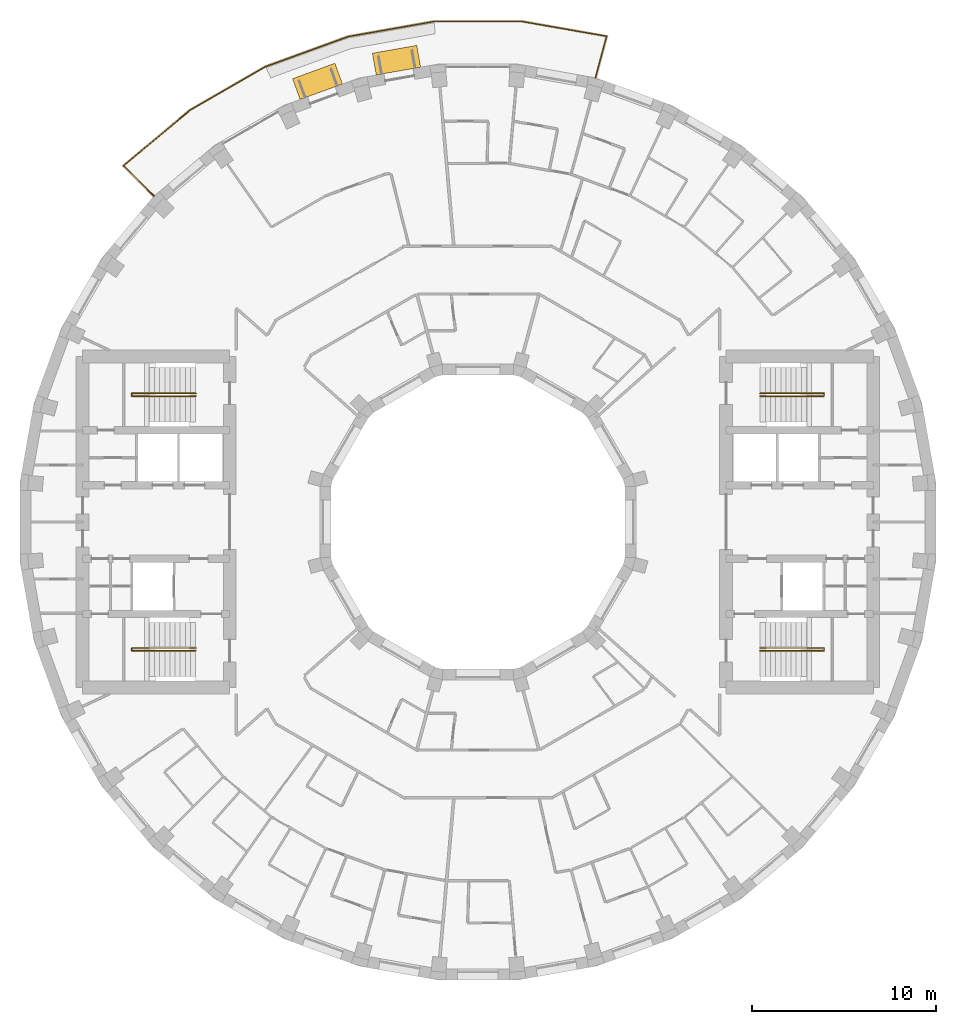
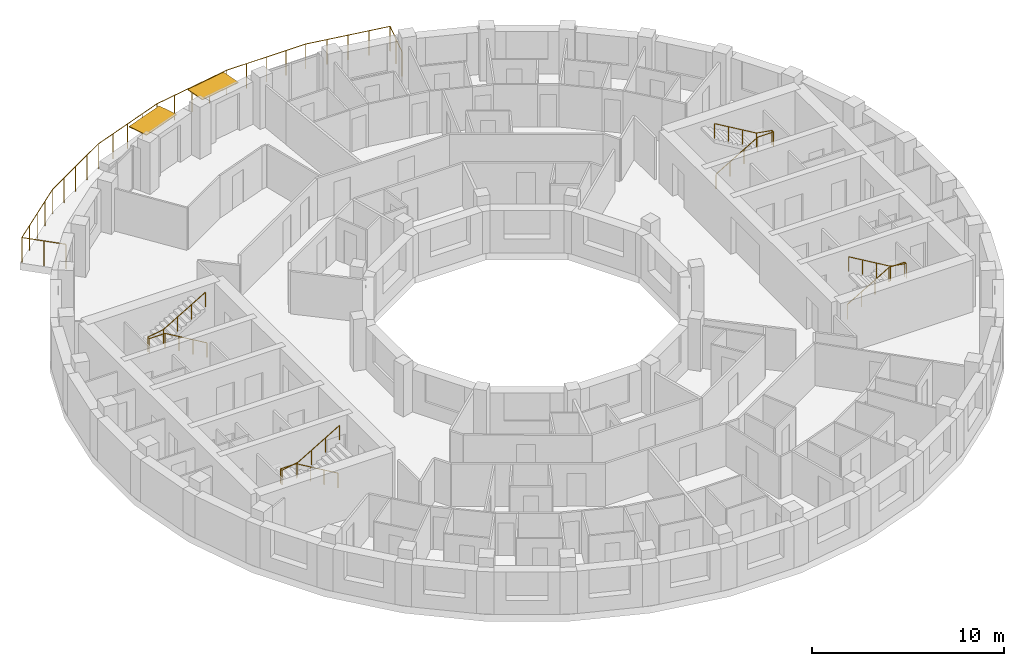
# One storey, part 14 of 14: 5 railings, 2 shading devices.
"""IFC4 building model written with IfcOpenShell, lengths in metres."""

from ifc_helpers import new_model, si_unit, direction, frame, origin, origin_2d, place, context, subcontext, project, spatial, rectangle, circle, extrude, material, layer, layer_set, type_object, element, save


model = new_model("IFC4")

# Units and contexts
model_context = context("Model", 3, precision=1e-05, world=origin(), true_north=direction((0.0, 1.0)))
body_context = subcontext(model_context, "Body", "Model", "MODEL_VIEW")
ifc_project = project(units=[si_unit("LENGTHUNIT", "METRE"), si_unit("AREAUNIT", "SQUARE_METRE"), si_unit("VOLUMEUNIT", "CUBIC_METRE"), si_unit("PLANEANGLEUNIT", "RADIAN"), si_unit("MASSUNIT", "GRAM", prefix="KILO")], contexts=[model_context])

# Site, building, storey
site_placement = place(None, origin())
site = spatial("IfcSite", under=ifc_project, at=site_placement, CompositionType="ELEMENT")
building_placement = place(site_placement, origin())
building = spatial("IfcBuilding", under=site, at=building_placement, Name="Saqina Gate Tower", CompositionType="ELEMENT")
storey_placement = place(building_placement, frame((0.0, 0.0, 216.89990234375)))
storey = spatial("IfcBuildingStorey", under=building, at=storey_placement, Name="L62", CompositionType="ELEMENT", Elevation=216.89990234375)

# Shading devices
ifc_material_1 = material(Name="Aluminium and fabric awning", Category="aluminium")
ifc_layer = layer(ifc_material_1, 0.050048828125)
ifc_layer_set = layer_set([ifc_layer], Name="AW-TERRACE")
shading_device_type = type_object("IfcShadingDeviceType", Name="AW-TERRACE", PredefinedType="AWNING", material=ifc_layer_set)
for number, where, z_axis, x_axis, name in (
    (1, (-4.428955078125, 25.117431640625, 2.52490234375), (0.0, 0.0, 1.0), (-0.984807753012, -0.173648177667, 0.0), "Terrace awning L62 facet 10"),
    (2, (-8.72314453125, 23.966796875, 2.52490234375), (0.0, 0.0, 1.0), (-0.939692620786, -0.342020143326, 0.0), "Terrace awning L62 facet 11"),
):
    element("IfcShadingDevice", number, at=place(storey_placement, frame(where, z_axis=z_axis, x_axis=x_axis)), inside=storey, type_object=shading_device_type, Name=name, PredefinedType="AWNING", context=body_context, shape_type="SweptSolid", body=[
        extrude(rectangle(XDim=2.44970703125, YDim=1.199951171875, at=origin_2d()), origin(), (0.0, 0.0, 1.0), 0.050048828125),
    ])

# Railings
ifc_material_2 = material(Name="Stainless steel", Category="steel")
railing_type_1 = type_object("IfcRailingType", Name="RL-TERRACE", PredefinedType="GUARDRAIL", material=ifc_material_2)
railing_1_placement = place(storey_placement, frame((6.377685546875, 24.11083984375, 0.0)))
element("IfcRailing", 3, at=railing_1_placement, inside=storey, type_object=railing_type_1, Name="Terrace guard L62", PredefinedType="GUARDRAIL", context=body_context, shape_type="SweptSolid", body=[
    extrude(circle(Radius=0.02392578125, at=origin_2d()), frame((0.0, 0.0, 1.576171875), z_axis=(0.258851866296, 0.965917031279, 0.0), x_axis=(-0.965917031279, 0.258851866296, 0.0)), (0.0, 0.0, 1.0), 2.38916015625),
    extrude(circle(Radius=0.02392578125, at=origin_2d()), frame((0.618408203125, 2.3076171875, 1.576171875), z_axis=(-0.985070265823, 0.17215275598, 0.0), x_axis=(-0.17215275598, -0.985070265823, 0.0)), (0.0, 0.0, 1.0), 4.68408203125),
    extrude(circle(Radius=0.02392578125, at=origin_2d()), frame((-3.995849609375, 3.114013671875, 1.576171875), z_axis=(-1.0, 0.0, 0.0), x_axis=(0.0, -1.0, 0.0)), (0.0, 0.0, 1.0), 4.763671875),
    extrude(circle(Radius=0.02392578125, at=origin_2d()), frame((-8.759521484375, 3.114013671875, 1.576171875), z_axis=(-0.98481037568, -0.173633303123, 0.0), x_axis=(0.173633303123, -0.98481037568, 0.0)), (0.0, 0.0, 1.0), 4.763671875),
    extrude(circle(Radius=0.02392578125, at=origin_2d()), frame((-13.450927734375, 2.286865234375, 1.576171875), z_axis=(-0.939688638318, -0.342031084868, 0.0), x_axis=(0.342031084868, -0.939688638318, 0.0)), (0.0, 0.0, 1.0), 4.763916015625),
    extrude(circle(Radius=0.02392578125, at=origin_2d()), frame((-17.927490234375, 0.657470703125, 1.576171875), z_axis=(-0.866026842905, -0.499997507361, 0.0), x_axis=(0.499997507361, -0.866026842905, 0.0)), (0.0, 0.0, 1.0), 4.763671875),
    extrude(circle(Radius=0.02392578125, at=origin_2d()), frame((-22.052978515625, -1.724365234375, 1.576171875), z_axis=(-0.767002243016, -0.641644418045, 0.0), x_axis=(0.641644418045, -0.767002243016, 0.0)), (0.0, 0.0, 1.0), 4.683837890625),
    extrude(circle(Radius=0.02392578125, at=origin_2d()), frame((-25.6455078125, -4.729736328125, 1.576171875), z_axis=(0.707106781187, -0.707106781187, 0.0), x_axis=(0.707106781187, 0.707106781187, 0.0)), (0.0, 0.0, 1.0), 2.388916015625),
    extrude(circle(Radius=0.02099609375, at=origin_2d()), origin(), (0.0, 0.0, 1.0), 1.552001953125),
    extrude(circle(Radius=0.02099609375, at=origin_2d()), frame((0.30908203125, 1.15380859375, 0.0)), (0.0, 0.0, 1.0), 1.552001953125),
    extrude(circle(Radius=0.02099609375, at=origin_2d()), frame((0.618408203125, 2.3076171875, 0.0)), (0.0, 0.0, 1.0), 1.552001953125),
    extrude(circle(Radius=0.02099609375, at=origin_2d()), frame((-0.53515625, 2.50927734375, 0.0)), (0.0, 0.0, 1.0), 1.552001953125),
    extrude(circle(Radius=0.02099609375, at=origin_2d()), frame((-1.688720703125, 2.7109375, 0.0)), (0.0, 0.0, 1.0), 1.552001953125),
    extrude(circle(Radius=0.02099609375, at=origin_2d()), frame((-2.84228515625, 2.912353515625, 0.0)), (0.0, 0.0, 1.0), 1.552001953125),
    extrude(circle(Radius=0.02099609375, at=origin_2d()), frame((-3.995849609375, 3.114013671875, 0.0)), (0.0, 0.0, 1.0), 1.552001953125),
    extrude(circle(Radius=0.02099609375, at=origin_2d()), frame((-5.186767578125, 3.114013671875, 0.0)), (0.0, 0.0, 1.0), 1.552001953125),
    extrude(circle(Radius=0.02099609375, at=origin_2d()), frame((-6.377685546875, 3.114013671875, 0.0)), (0.0, 0.0, 1.0), 1.552001953125),
    extrude(circle(Radius=0.02099609375, at=origin_2d()), frame((-7.568603515625, 3.114013671875, 0.0)), (0.0, 0.0, 1.0), 1.552001953125),
    extrude(circle(Radius=0.02099609375, at=origin_2d()), frame((-8.759521484375, 3.114013671875, 0.0)), (0.0, 0.0, 1.0), 1.552001953125),
    extrude(circle(Radius=0.02099609375, at=origin_2d()), frame((-9.932373046875, 2.9072265625, 0.0)), (0.0, 0.0, 1.0), 1.552001953125),
    extrude(circle(Radius=0.02099609375, at=origin_2d()), frame((-11.105224609375, 2.700439453125, 0.0)), (0.0, 0.0, 1.0), 1.552001953125),
    extrude(circle(Radius=0.02099609375, at=origin_2d()), frame((-12.278076171875, 2.49365234375, 0.0)), (0.0, 0.0, 1.0), 1.552001953125),
    extrude(circle(Radius=0.02099609375, at=origin_2d()), frame((-13.450927734375, 2.286865234375, 0.0)), (0.0, 0.0, 1.0), 1.552001953125),
    extrude(circle(Radius=0.02099609375, at=origin_2d()), frame((-14.570068359375, 1.87939453125, 0.0)), (0.0, 0.0, 1.0), 1.552001953125),
    extrude(circle(Radius=0.02099609375, at=origin_2d()), frame((-15.689208984375, 1.47216796875, 0.0)), (0.0, 0.0, 1.0), 1.552001953125),
    extrude(circle(Radius=0.02099609375, at=origin_2d()), frame((-16.808349609375, 1.06494140625, 0.0)), (0.0, 0.0, 1.0), 1.552001953125),
    extrude(circle(Radius=0.02099609375, at=origin_2d()), frame((-17.927490234375, 0.657470703125, 0.0)), (0.0, 0.0, 1.0), 1.552001953125),
    extrude(circle(Radius=0.02099609375, at=origin_2d()), frame((-18.958984375, 0.06201171875, 0.0)), (0.0, 0.0, 1.0), 1.552001953125),
    extrude(circle(Radius=0.02099609375, at=origin_2d()), frame((-19.990234375, -0.533447265625, 0.0)), (0.0, 0.0, 1.0), 1.552001953125),
    extrude(circle(Radius=0.02099609375, at=origin_2d()), frame((-21.021484375, -1.12890625, 0.0)), (0.0, 0.0, 1.0), 1.552001953125),
    extrude(circle(Radius=0.02099609375, at=origin_2d()), frame((-22.052978515625, -1.724365234375, 0.0)), (0.0, 0.0, 1.0), 1.552001953125),
    extrude(circle(Radius=0.02099609375, at=origin_2d()), frame((-22.951171875, -2.4755859375, 0.0)), (0.0, 0.0, 1.0), 1.552001953125),
    extrude(circle(Radius=0.02099609375, at=origin_2d()), frame((-23.84912109375, -3.22705078125, 0.0)), (0.0, 0.0, 1.0), 1.552001953125),
    extrude(circle(Radius=0.02099609375, at=origin_2d()), frame((-24.747314453125, -3.978515625, 0.0)), (0.0, 0.0, 1.0), 1.552001953125),
    extrude(circle(Radius=0.02099609375, at=origin_2d()), frame((-25.6455078125, -4.729736328125, 0.0)), (0.0, 0.0, 1.0), 1.552001953125),
    extrude(circle(Radius=0.02099609375, at=origin_2d()), frame((-24.80078125, -5.57421875, 0.0)), (0.0, 0.0, 1.0), 1.552001953125),
    extrude(circle(Radius=0.02099609375, at=origin_2d()), frame((-23.956298828125, -6.4189453125, 0.0)), (0.0, 0.0, 1.0), 1.552001953125),
])
ifc_material_3 = material(Name="Stainless steel", Category="steel")
railing_type_2 = type_object("IfcRailingType", Name="STAIR HANDRAIL", PredefinedType="HANDRAIL", material=ifc_material_3)
railing_2_placement = place(storey_placement, frame((15.35009765625, 6.85009765625, 0.1650390625)))
element("IfcRailing", 4, at=railing_2_placement, inside=storey, type_object=railing_type_2, Name="EXIT STAIR 1 HANDRAIL", PredefinedType="HANDRAIL", context=body_context, shape_type="SweptSolid", body=[
    extrude(circle(Radius=0.02392578125, at=origin_2d()), frame((0.0, 0.0, 0.92578125), z_axis=(0.86152411907, 0.0, 0.507716645641), x_axis=(0.0, 1.0, 0.0)), (0.0, 0.0, 1.0), 2.925048828125),
    extrude(circle(Radius=0.02392578125, at=origin_2d()), frame((2.52001953125, 0.0, 2.4111328125), z_axis=(1.0, 0.0, 0.0), x_axis=(0.0, 1.0, 0.0)), (0.0, 0.0, 1.0), 0.949951171875),
    extrude(circle(Radius=0.02392578125, at=origin_2d()), frame((3.469970703125, 0.0, 2.4111328125), z_axis=(0.0, 1.0, 0.0), x_axis=(-1.0, 0.0, 0.0)), (0.0, 0.0, 1.0), 0.14990234375),
    extrude(circle(Radius=0.02392578125, at=origin_2d()), frame((3.469970703125, 0.14990234375, 2.4111328125), z_axis=(-0.985241474778, 0.0, 0.171170197109), x_axis=(0.0, -1.0, 0.0)), (0.0, 0.0, 1.0), 0.964111328125),
    extrude(circle(Radius=0.02392578125, at=origin_2d()), frame((2.52001953125, 0.14990234375, 2.576171875), z_axis=(-0.861560626758, 0.0, 0.507654692109), x_axis=(0.0, -1.0, 0.0)), (0.0, 0.0, 1.0), 2.925048828125),
    extrude(circle(Radius=0.02099609375, at=origin_2d()), origin(), (0.0, 0.0, 1.0), 0.90185546875),
    extrude(circle(Radius=0.02099609375, at=origin_2d()), frame((0.840087890625, 0.0, 0.4951171875)), (0.0, 0.0, 1.0), 0.90185546875),
    extrude(circle(Radius=0.02099609375, at=origin_2d()), frame((1.679931640625, 0.0, 0.989990234375)), (0.0, 0.0, 1.0), 0.90185546875),
    extrude(circle(Radius=0.02099609375, at=origin_2d()), frame((2.52001953125, 0.0, 1.485107421875)), (0.0, 0.0, 1.0), 0.90185546875),
    extrude(circle(Radius=0.02099609375, at=origin_2d()), frame((3.469970703125, 0.0, 1.485107421875)), (0.0, 0.0, 1.0), 0.90185546875),
    extrude(circle(Radius=0.02099609375, at=origin_2d()), frame((3.469970703125, 0.14990234375, 1.485107421875)), (0.0, 0.0, 1.0), 0.90185546875),
    extrude(circle(Radius=0.02099609375, at=origin_2d()), frame((2.52001953125, 0.14990234375, 1.650146484375)), (0.0, 0.0, 1.0), 0.90185546875),
    extrude(circle(Radius=0.02099609375, at=origin_2d()), frame((1.679931640625, 0.14990234375, 2.14501953125)), (0.0, 0.0, 1.0), 0.90185546875),
    extrude(circle(Radius=0.02099609375, at=origin_2d()), frame((0.840087890625, 0.14990234375, 2.64013671875)), (0.0, 0.0, 1.0), 0.90185546875),
    extrude(circle(Radius=0.02099609375, at=origin_2d()), frame((0.0, 0.14990234375, 3.135009765625)), (0.0, 0.0, 1.0), 0.90185546875),
])
railing_3_placement = place(storey_placement, frame((15.35009765625, -6.85009765625, 0.1650390625)))
element("IfcRailing", 5, at=railing_3_placement, inside=storey, type_object=railing_type_2, Name="EXIT STAIR 2 HANDRAIL", PredefinedType="HANDRAIL", context=body_context, shape_type="SweptSolid", body=[
    extrude(circle(Radius=0.02392578125, at=origin_2d()), frame((0.0, 0.0, 0.92578125), z_axis=(0.86152411907, 0.0, 0.507716645641), x_axis=(0.0, 1.0, 0.0)), (0.0, 0.0, 1.0), 2.925048828125),
    extrude(circle(Radius=0.02392578125, at=origin_2d()), frame((2.52001953125, 0.0, 2.4111328125), z_axis=(1.0, 0.0, 0.0), x_axis=(0.0, 1.0, 0.0)), (0.0, 0.0, 1.0), 0.949951171875),
    extrude(circle(Radius=0.02392578125, at=origin_2d()), frame((3.469970703125, 0.0, 2.4111328125), z_axis=(0.0, -1.0, 0.0), x_axis=(1.0, 0.0, 0.0)), (0.0, 0.0, 1.0), 0.14990234375),
    extrude(circle(Radius=0.02392578125, at=origin_2d()), frame((3.469970703125, -0.14990234375, 2.4111328125), z_axis=(-0.985241474778, 0.0, 0.171170197109), x_axis=(0.0, -1.0, 0.0)), (0.0, 0.0, 1.0), 0.964111328125),
    extrude(circle(Radius=0.02392578125, at=origin_2d()), frame((2.52001953125, -0.14990234375, 2.576171875), z_axis=(-0.861560626758, 0.0, 0.507654692109), x_axis=(0.0, -1.0, 0.0)), (0.0, 0.0, 1.0), 2.925048828125),
    extrude(circle(Radius=0.02099609375, at=origin_2d()), origin(), (0.0, 0.0, 1.0), 0.90185546875),
    extrude(circle(Radius=0.02099609375, at=origin_2d()), frame((0.840087890625, 0.0, 0.4951171875)), (0.0, 0.0, 1.0), 0.90185546875),
    extrude(circle(Radius=0.02099609375, at=origin_2d()), frame((1.679931640625, 0.0, 0.989990234375)), (0.0, 0.0, 1.0), 0.90185546875),
    extrude(circle(Radius=0.02099609375, at=origin_2d()), frame((2.52001953125, 0.0, 1.485107421875)), (0.0, 0.0, 1.0), 0.90185546875),
    extrude(circle(Radius=0.02099609375, at=origin_2d()), frame((3.469970703125, 0.0, 1.485107421875)), (0.0, 0.0, 1.0), 0.90185546875),
    extrude(circle(Radius=0.02099609375, at=origin_2d()), frame((3.469970703125, -0.14990234375, 1.485107421875)), (0.0, 0.0, 1.0), 0.90185546875),
    extrude(circle(Radius=0.02099609375, at=origin_2d()), frame((2.52001953125, -0.14990234375, 1.650146484375)), (0.0, 0.0, 1.0), 0.90185546875),
    extrude(circle(Radius=0.02099609375, at=origin_2d()), frame((1.679931640625, -0.14990234375, 2.14501953125)), (0.0, 0.0, 1.0), 0.90185546875),
    extrude(circle(Radius=0.02099609375, at=origin_2d()), frame((0.840087890625, -0.14990234375, 2.64013671875)), (0.0, 0.0, 1.0), 0.90185546875),
    extrude(circle(Radius=0.02099609375, at=origin_2d()), frame((0.0, -0.14990234375, 3.135009765625)), (0.0, 0.0, 1.0), 0.90185546875),
])
railing_4_placement = place(storey_placement, frame((-15.35009765625, 6.85009765625, 0.1650390625)))
element("IfcRailing", 6, at=railing_4_placement, inside=storey, type_object=railing_type_2, Name="EXIT STAIR 3 HANDRAIL", PredefinedType="HANDRAIL", context=body_context, shape_type="SweptSolid", body=[
    extrude(circle(Radius=0.02392578125, at=origin_2d()), frame((0.0, 0.0, 0.92578125), z_axis=(-0.86152411907, 0.0, 0.507716645641), x_axis=(0.0, -1.0, 0.0)), (0.0, 0.0, 1.0), 2.925048828125),
    extrude(circle(Radius=0.02392578125, at=origin_2d()), frame((-2.52001953125, 0.0, 2.4111328125), z_axis=(-1.0, 0.0, 0.0), x_axis=(0.0, -1.0, 0.0)), (0.0, 0.0, 1.0), 0.949951171875),
    extrude(circle(Radius=0.02392578125, at=origin_2d()), frame((-3.469970703125, 0.0, 2.4111328125), z_axis=(0.0, 1.0, 0.0), x_axis=(-1.0, 0.0, 0.0)), (0.0, 0.0, 1.0), 0.14990234375),
    extrude(circle(Radius=0.02392578125, at=origin_2d()), frame((-3.469970703125, 0.14990234375, 2.4111328125), z_axis=(0.985241474778, 0.0, 0.171170197109), x_axis=(0.0, 1.0, 0.0)), (0.0, 0.0, 1.0), 0.964111328125),
    extrude(circle(Radius=0.02392578125, at=origin_2d()), frame((-2.52001953125, 0.14990234375, 2.576171875), z_axis=(0.861560626758, 0.0, 0.507654692109), x_axis=(0.0, 1.0, 0.0)), (0.0, 0.0, 1.0), 2.925048828125),
    extrude(circle(Radius=0.02099609375, at=origin_2d()), origin(), (0.0, 0.0, 1.0), 0.90185546875),
    extrude(circle(Radius=0.02099609375, at=origin_2d()), frame((-0.840087890625, 0.0, 0.4951171875)), (0.0, 0.0, 1.0), 0.90185546875),
    extrude(circle(Radius=0.02099609375, at=origin_2d()), frame((-1.679931640625, 0.0, 0.989990234375)), (0.0, 0.0, 1.0), 0.90185546875),
    extrude(circle(Radius=0.02099609375, at=origin_2d()), frame((-2.52001953125, 0.0, 1.485107421875)), (0.0, 0.0, 1.0), 0.90185546875),
    extrude(circle(Radius=0.02099609375, at=origin_2d()), frame((-3.469970703125, 0.0, 1.485107421875)), (0.0, 0.0, 1.0), 0.90185546875),
    extrude(circle(Radius=0.02099609375, at=origin_2d()), frame((-3.469970703125, 0.14990234375, 1.485107421875)), (0.0, 0.0, 1.0), 0.90185546875),
    extrude(circle(Radius=0.02099609375, at=origin_2d()), frame((-2.52001953125, 0.14990234375, 1.650146484375)), (0.0, 0.0, 1.0), 0.90185546875),
    extrude(circle(Radius=0.02099609375, at=origin_2d()), frame((-1.679931640625, 0.14990234375, 2.14501953125)), (0.0, 0.0, 1.0), 0.90185546875),
    extrude(circle(Radius=0.02099609375, at=origin_2d()), frame((-0.840087890625, 0.14990234375, 2.64013671875)), (0.0, 0.0, 1.0), 0.90185546875),
    extrude(circle(Radius=0.02099609375, at=origin_2d()), frame((0.0, 0.14990234375, 3.135009765625)), (0.0, 0.0, 1.0), 0.90185546875),
])
railing_5_placement = place(storey_placement, frame((-15.35009765625, -6.85009765625, 0.1650390625)))
element("IfcRailing", 7, at=railing_5_placement, inside=storey, type_object=railing_type_2, Name="EXIT STAIR 4 HANDRAIL", PredefinedType="HANDRAIL", context=body_context, shape_type="SweptSolid", body=[
    extrude(circle(Radius=0.02392578125, at=origin_2d()), frame((0.0, 0.0, 0.92578125), z_axis=(-0.86152411907, 0.0, 0.507716645641), x_axis=(0.0, -1.0, 0.0)), (0.0, 0.0, 1.0), 2.925048828125),
    extrude(circle(Radius=0.02392578125, at=origin_2d()), frame((-2.52001953125, 0.0, 2.4111328125), z_axis=(-1.0, 0.0, 0.0), x_axis=(0.0, -1.0, 0.0)), (0.0, 0.0, 1.0), 0.949951171875),
    extrude(circle(Radius=0.02392578125, at=origin_2d()), frame((-3.469970703125, 0.0, 2.4111328125), z_axis=(0.0, -1.0, 0.0), x_axis=(1.0, 0.0, 0.0)), (0.0, 0.0, 1.0), 0.14990234375),
    extrude(circle(Radius=0.02392578125, at=origin_2d()), frame((-3.469970703125, -0.14990234375, 2.4111328125), z_axis=(0.985241474778, 0.0, 0.171170197109), x_axis=(0.0, 1.0, 0.0)), (0.0, 0.0, 1.0), 0.964111328125),
    extrude(circle(Radius=0.02392578125, at=origin_2d()), frame((-2.52001953125, -0.14990234375, 2.576171875), z_axis=(0.861560626758, 0.0, 0.507654692109), x_axis=(0.0, 1.0, 0.0)), (0.0, 0.0, 1.0), 2.925048828125),
    extrude(circle(Radius=0.02099609375, at=origin_2d()), origin(), (0.0, 0.0, 1.0), 0.90185546875),
    extrude(circle(Radius=0.02099609375, at=origin_2d()), frame((-0.840087890625, 0.0, 0.4951171875)), (0.0, 0.0, 1.0), 0.90185546875),
    extrude(circle(Radius=0.02099609375, at=origin_2d()), frame((-1.679931640625, 0.0, 0.989990234375)), (0.0, 0.0, 1.0), 0.90185546875),
    extrude(circle(Radius=0.02099609375, at=origin_2d()), frame((-2.52001953125, 0.0, 1.485107421875)), (0.0, 0.0, 1.0), 0.90185546875),
    extrude(circle(Radius=0.02099609375, at=origin_2d()), frame((-3.469970703125, 0.0, 1.485107421875)), (0.0, 0.0, 1.0), 0.90185546875),
    extrude(circle(Radius=0.02099609375, at=origin_2d()), frame((-3.469970703125, -0.14990234375, 1.485107421875)), (0.0, 0.0, 1.0), 0.90185546875),
    extrude(circle(Radius=0.02099609375, at=origin_2d()), frame((-2.52001953125, -0.14990234375, 1.650146484375)), (0.0, 0.0, 1.0), 0.90185546875),
    extrude(circle(Radius=0.02099609375, at=origin_2d()), frame((-1.679931640625, -0.14990234375, 2.14501953125)), (0.0, 0.0, 1.0), 0.90185546875),
    extrude(circle(Radius=0.02099609375, at=origin_2d()), frame((-0.840087890625, -0.14990234375, 2.64013671875)), (0.0, 0.0, 1.0), 0.90185546875),
    extrude(circle(Radius=0.02099609375, at=origin_2d()), frame((0.0, -0.14990234375, 3.135009765625)), (0.0, 0.0, 1.0), 0.90185546875),
])

save(model, "model.ifc")
